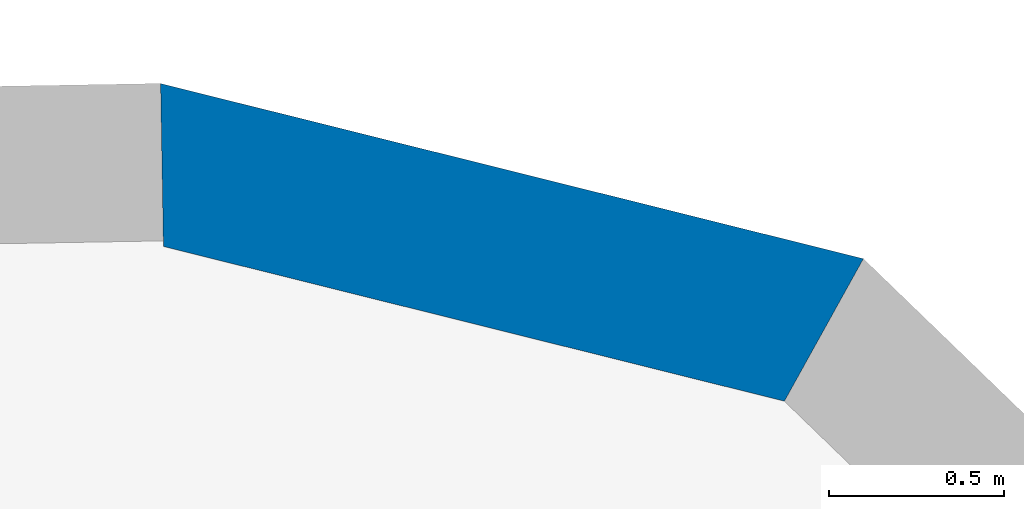
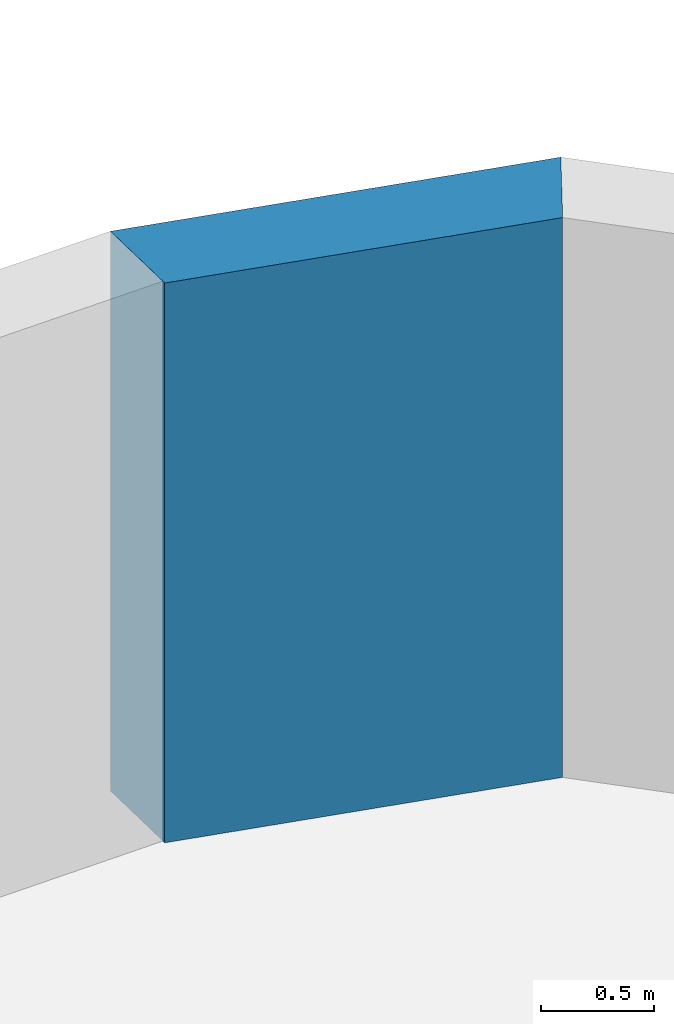
# One storey, part 8 of 13: 1 wall.
"""IFC4 building model written with IfcOpenShell, lengths in metres."""

from ifc_helpers import new_model, si_unit, direction, frame, origin, place, context, subcontext, project, spatial, polyline, outline, extrude, material, layer, layer_set, type_object, element, save


model = new_model("IFC4")

# Units and contexts
model_context = context("Model", 3, precision=1e-05, world=origin(), true_north=direction((0.0, 1.0)))
body_context = subcontext(model_context, "Body", "Model", "MODEL_VIEW")
ifc_project = project(units=[si_unit("LENGTHUNIT", "METRE"), si_unit("AREAUNIT", "SQUARE_METRE"), si_unit("VOLUMEUNIT", "CUBIC_METRE"), si_unit("PLANEANGLEUNIT", "RADIAN"), si_unit("MASSUNIT", "GRAM", prefix="KILO")], contexts=[model_context])

# Site, building, storey
site_placement = place(None, origin())
site = spatial("IfcSite", under=ifc_project, at=site_placement, CompositionType="ELEMENT")
building_placement = place(site_placement, origin())
building = spatial("IfcBuilding", under=site, at=building_placement, Name="Kajstack Hotel Tower", CompositionType="ELEMENT")
storey_placement = place(building_placement, frame((0.0, 0.0, 237.5)))
storey = spatial("IfcBuildingStorey", under=building, at=storey_placement, Name="L58", CompositionType="ELEMENT", Elevation=237.5)

# Wall
ifc_material = material(Name="Terracotta-faced brick masonry", Category="masonry")
ifc_layer = layer(ifc_material, 0.449951171875)
ifc_layer_set = layer_set([ifc_layer], Name="EW-TERRA")
wall_type = type_object("IfcWallType", Name="EW-TERRA", PredefinedType="SOLIDWALL", material=ifc_layer_set)
wall_placement = place(storey_placement, frame((40.59130859375, 21.10595703125, 0.0), z_axis=(0.0, 0.0, 1.0), x_axis=(-0.970287979719, 0.241952963225, 0.0)))
element("IfcWall", 1, at=wall_placement, inside=storey, type_object=wall_type, Name="E-wall-L58-11-00", PredefinedType="SOLIDWALL", context=body_context, shape_type="SweptSolid", body=[
    extrude(outline(polyline([(0.0, -0.22509765625), (2.070556640625, -0.224853515625), (1.949951171875, 0.22509765625), (0.12060546875, 0.224853515625), (0.0, -0.22509765625)])), origin(), (0.0, 0.0, 1.0), 3.02001953125),
])

save(model, "model.ifc")
